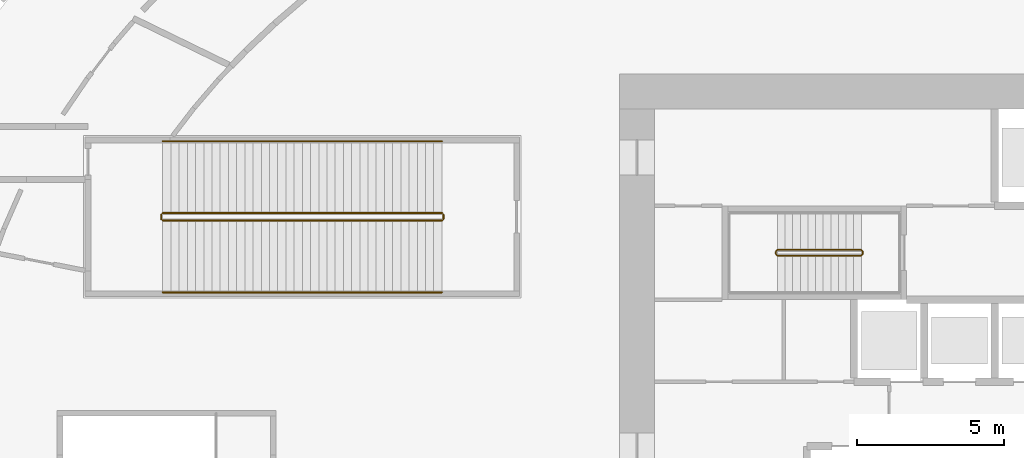
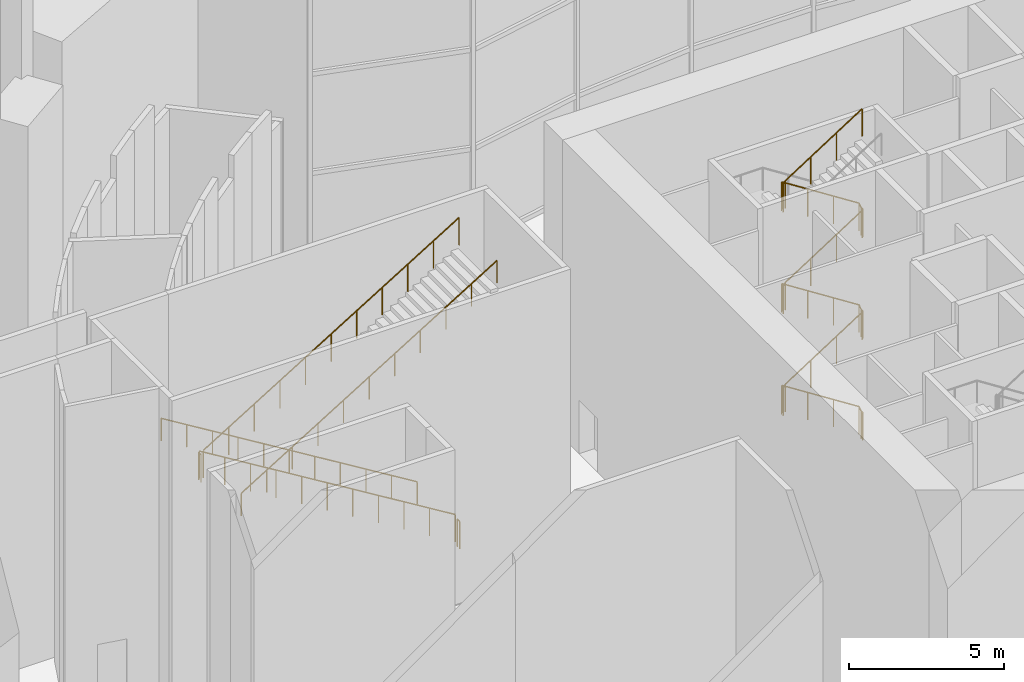
# One storey, part 20 of 25: 7 railings.
"""IFC4 building model written with IfcOpenShell, lengths in metres."""

from ifc_helpers import new_model, si_unit, direction, frame, origin, origin_2d, place, context, subcontext, project, spatial, circle, extrude, source, transform, mapped, material, type_object, element, save


model = new_model("IFC4")

# Units and contexts
model_context = context("Model", 3, precision=1e-05, world=origin(), true_north=direction((0.0, 1.0)))
body_context = subcontext(model_context, "Body", "Model", "MODEL_VIEW")
ifc_project = project(units=[si_unit("LENGTHUNIT", "METRE"), si_unit("AREAUNIT", "SQUARE_METRE"), si_unit("VOLUMEUNIT", "CUBIC_METRE"), si_unit("PLANEANGLEUNIT", "RADIAN"), si_unit("MASSUNIT", "GRAM", prefix="KILO")], contexts=[model_context])

# Site, building, storey
site_placement = place(None, origin())
site = spatial("IfcSite", under=ifc_project, at=site_placement, CompositionType="ELEMENT")
building_placement = place(site_placement, origin())
building = spatial("IfcBuilding", under=site, at=building_placement, Name="Embergate Tower", CompositionType="ELEMENT")
storey_placement = place(building_placement, origin())
storey = spatial("IfcBuildingStorey", under=building, at=storey_placement, Name="L00", CompositionType="ELEMENT", Elevation=0.0)

# Railings
ifc_material_1 = material(Name="Stair guard 1100")
railing_type_1 = type_object("IfcRailingType", Name="Stair guard 1100", PredefinedType="GUARDRAIL", material=ifc_material_1)
shared_shape_1 = source(origin(), body_context, "Body", "SweptSolid", [
    extrude(circle(Radius=0.02392578125, at=origin_2d()), frame((0.0, 0.0, 1.076171875), z_axis=(0.0, 1.0, 0.0), x_axis=(-1.0, 0.0, 0.0)), (0.0, 0.0, 1.0), 0.099853515625),
    extrude(circle(Radius=0.02392578125, at=origin_2d()), frame((0.0, 0.099853515625, 1.076171875), z_axis=(-0.27628659633, 0.27628659633, 0.920506074601), x_axis=(-0.707106781187, -0.707106781187, 0.0)), (0.0, 0.0, 1.0), 0.18115234375),
    extrude(circle(Radius=0.02392578125, at=origin_2d()), frame((-0.050048828125, 0.14990234375, 1.24267578125), z_axis=(-0.841899231129, 0.0, 0.539634769658), x_axis=(0.0, -1.0, 0.0)), (0.0, 0.0, 1.0), 3.397216796875),
    extrude(circle(Radius=0.02392578125, at=origin_2d()), frame((-2.91015625, 0.14990234375, 3.076171875), z_axis=(-0.705375805398, -0.708833529934, 0.0), x_axis=(0.708833529934, -0.705375805398, 0.0)), (0.0, 0.0, 1.0), 0.070556640625),
    extrude(circle(Radius=0.02392578125, at=origin_2d()), frame((-2.9599609375, 0.099853515625, 3.076171875), z_axis=(0.0, -1.0, 0.0), x_axis=(1.0, 0.0, 0.0)), (0.0, 0.0, 1.0), 0.099853515625),
    extrude(circle(Radius=0.02392578125, at=origin_2d()), frame((-2.9599609375, 0.0, 3.076171875), z_axis=(0.275041040955, -0.276389281352, 0.920848191041), x_axis=(0.708833529934, 0.705375805398, 0.0)), (0.0, 0.0, 1.0), 0.18115234375),
    extrude(circle(Radius=0.02392578125, at=origin_2d()), frame((-2.91015625, -0.050048828125, 3.24267578125), z_axis=(0.841899231129, 0.0, 0.539634769658), x_axis=(0.0, 1.0, 0.0)), (0.0, 0.0, 1.0), 3.397216796875),
    extrude(circle(Radius=0.02392578125, at=origin_2d()), frame((-0.050048828125, -0.050048828125, 5.076171875), z_axis=(0.707106781187, 0.707106781187, 0.0), x_axis=(-0.707106781187, 0.707106781187, 0.0)), (0.0, 0.0, 1.0), 0.07080078125),
    extrude(circle(Radius=0.02392578125, at=origin_2d()), frame((0.0, 0.0, 5.076171875), z_axis=(0.0, 1.0, 0.0), x_axis=(-1.0, 0.0, 0.0)), (0.0, 0.0, 1.0), 0.099853515625),
    extrude(circle(Radius=0.02392578125, at=origin_2d()), frame((0.0, 0.099853515625, 5.076171875), z_axis=(-0.27628659633, 0.27628659633, 0.920506074601), x_axis=(-0.707106781187, -0.707106781187, 0.0)), (0.0, 0.0, 1.0), 0.18115234375),
    extrude(circle(Radius=0.02392578125, at=origin_2d()), frame((-0.050048828125, 0.14990234375, 5.24267578125), z_axis=(-0.841899231129, 0.0, 0.539634769658), x_axis=(0.0, -1.0, 0.0)), (0.0, 0.0, 1.0), 3.397216796875),
    extrude(circle(Radius=0.02392578125, at=origin_2d()), frame((-2.91015625, 0.14990234375, 7.076171875), z_axis=(-0.705375805398, -0.708833529934, 0.0), x_axis=(0.708833529934, -0.705375805398, 0.0)), (0.0, 0.0, 1.0), 0.070556640625),
    extrude(circle(Radius=0.02392578125, at=origin_2d()), frame((-2.9599609375, 0.099853515625, 7.076171875), z_axis=(0.0, -1.0, 0.0), x_axis=(1.0, 0.0, 0.0)), (0.0, 0.0, 1.0), 0.099853515625),
    extrude(circle(Radius=0.02392578125, at=origin_2d()), frame((-2.9599609375, 0.0, 7.076171875), z_axis=(0.275041040955, -0.276389281352, 0.920848191041), x_axis=(0.708833529934, 0.705375805398, 0.0)), (0.0, 0.0, 1.0), 0.18115234375),
    extrude(circle(Radius=0.02392578125, at=origin_2d()), frame((-2.91015625, -0.050048828125, 7.24267578125), z_axis=(0.841899231129, 0.0, 0.539634769658), x_axis=(0.0, 1.0, 0.0)), (0.0, 0.0, 1.0), 3.397216796875),
    extrude(circle(Radius=0.02392578125, at=origin_2d()), frame((-0.050048828125, -0.050048828125, 9.076171875), z_axis=(0.707106781187, 0.707106781187, 0.0), x_axis=(-0.707106781187, 0.707106781187, 0.0)), (0.0, 0.0, 1.0), 0.07080078125),
    extrude(circle(Radius=0.02392578125, at=origin_2d()), frame((0.0, 0.0, 9.076171875), z_axis=(0.0, 1.0, 0.0), x_axis=(-1.0, 0.0, 0.0)), (0.0, 0.0, 1.0), 0.099853515625),
    extrude(circle(Radius=0.02392578125, at=origin_2d()), frame((0.0, 0.099853515625, 9.076171875), z_axis=(-0.27628659633, 0.27628659633, 0.920506074601), x_axis=(-0.707106781187, -0.707106781187, 0.0)), (0.0, 0.0, 1.0), 0.18115234375),
    extrude(circle(Radius=0.02392578125, at=origin_2d()), frame((-0.050048828125, 0.14990234375, 9.24267578125), z_axis=(-0.841899231129, 0.0, 0.539634769658), x_axis=(0.0, -1.0, 0.0)), (0.0, 0.0, 1.0), 3.397216796875),
    extrude(circle(Radius=0.02392578125, at=origin_2d()), frame((-2.91015625, 0.14990234375, 11.076171875), z_axis=(-0.705375805398, -0.708833529934, 0.0), x_axis=(0.708833529934, -0.705375805398, 0.0)), (0.0, 0.0, 1.0), 0.070556640625),
    extrude(circle(Radius=0.02392578125, at=origin_2d()), frame((-2.9599609375, 0.099853515625, 11.076171875), z_axis=(0.0, -1.0, 0.0), x_axis=(1.0, 0.0, 0.0)), (0.0, 0.0, 1.0), 0.099853515625),
    extrude(circle(Radius=0.02392578125, at=origin_2d()), frame((-2.9599609375, 0.0, 11.076171875), z_axis=(0.275041040955, -0.276389281352, 0.920848191041), x_axis=(0.708833529934, 0.705375805398, 0.0)), (0.0, 0.0, 1.0), 0.18115234375),
    extrude(circle(Radius=0.02392578125, at=origin_2d()), frame((-2.91015625, -0.050048828125, 11.24267578125), z_axis=(0.841899231129, 0.0, 0.539634769658), x_axis=(0.0, 1.0, 0.0)), (0.0, 0.0, 1.0), 3.397216796875),
    extrude(circle(Radius=0.02099609375, at=origin_2d()), origin(), (0.0, 0.0, 1.0), 1.052001953125),
    extrude(circle(Radius=0.02099609375, at=origin_2d()), frame((0.0, 0.099853515625, 0.0)), (0.0, 0.0, 1.0), 1.052001953125),
    extrude(circle(Radius=0.02099609375, at=origin_2d()), frame((-0.050048828125, 0.14990234375, 0.166748046875)), (0.0, 0.0, 1.0), 1.052001953125),
    extrude(circle(Radius=0.02099609375, at=origin_2d()), frame((-1.00341796875, 0.14990234375, 0.77783203125)), (0.0, 0.0, 1.0), 1.052001953125),
    extrude(circle(Radius=0.02099609375, at=origin_2d()), frame((-1.956787109375, 0.14990234375, 1.388916015625)), (0.0, 0.0, 1.0), 1.052001953125),
    extrude(circle(Radius=0.02099609375, at=origin_2d()), frame((-2.91015625, 0.14990234375, 2.0)), (0.0, 0.0, 1.0), 1.052001953125),
    extrude(circle(Radius=0.02099609375, at=origin_2d()), frame((-2.9599609375, 0.099853515625, 2.0)), (0.0, 0.0, 1.0), 1.052001953125),
    extrude(circle(Radius=0.02099609375, at=origin_2d()), frame((-2.9599609375, 0.0, 2.0)), (0.0, 0.0, 1.0), 1.052001953125),
    extrude(circle(Radius=0.02099609375, at=origin_2d()), frame((-2.91015625, -0.050048828125, 2.166748046875)), (0.0, 0.0, 1.0), 1.052001953125),
    extrude(circle(Radius=0.02099609375, at=origin_2d()), frame((-1.956787109375, -0.050048828125, 2.77783203125)), (0.0, 0.0, 1.0), 1.052001953125),
    extrude(circle(Radius=0.02099609375, at=origin_2d()), frame((-1.00341796875, -0.050048828125, 3.388916015625)), (0.0, 0.0, 1.0), 1.052001953125),
    extrude(circle(Radius=0.02099609375, at=origin_2d()), frame((-0.050048828125, -0.050048828125, 4.0)), (0.0, 0.0, 1.0), 1.052001953125),
    extrude(circle(Radius=0.02099609375, at=origin_2d()), frame((0.0, 0.0, 4.0)), (0.0, 0.0, 1.0), 1.052001953125),
    extrude(circle(Radius=0.02099609375, at=origin_2d()), frame((0.0, 0.099853515625, 4.0)), (0.0, 0.0, 1.0), 1.052001953125),
    extrude(circle(Radius=0.02099609375, at=origin_2d()), frame((-0.050048828125, 0.14990234375, 4.166748046875)), (0.0, 0.0, 1.0), 1.052001953125),
    extrude(circle(Radius=0.02099609375, at=origin_2d()), frame((-1.00341796875, 0.14990234375, 4.77783203125)), (0.0, 0.0, 1.0), 1.052001953125),
    extrude(circle(Radius=0.02099609375, at=origin_2d()), frame((-1.956787109375, 0.14990234375, 5.388916015625)), (0.0, 0.0, 1.0), 1.052001953125),
    extrude(circle(Radius=0.02099609375, at=origin_2d()), frame((-2.91015625, 0.14990234375, 6.0)), (0.0, 0.0, 1.0), 1.052001953125),
    extrude(circle(Radius=0.02099609375, at=origin_2d()), frame((-2.9599609375, 0.099853515625, 6.0)), (0.0, 0.0, 1.0), 1.052001953125),
    extrude(circle(Radius=0.02099609375, at=origin_2d()), frame((-2.9599609375, 0.0, 6.0)), (0.0, 0.0, 1.0), 1.052001953125),
    extrude(circle(Radius=0.02099609375, at=origin_2d()), frame((-2.91015625, -0.050048828125, 6.166748046875)), (0.0, 0.0, 1.0), 1.052001953125),
    extrude(circle(Radius=0.02099609375, at=origin_2d()), frame((-1.956787109375, -0.050048828125, 6.77783203125)), (0.0, 0.0, 1.0), 1.052001953125),
    extrude(circle(Radius=0.02099609375, at=origin_2d()), frame((-1.00341796875, -0.050048828125, 7.388916015625)), (0.0, 0.0, 1.0), 1.052001953125),
    extrude(circle(Radius=0.02099609375, at=origin_2d()), frame((-0.050048828125, -0.050048828125, 8.0)), (0.0, 0.0, 1.0), 1.052001953125),
    extrude(circle(Radius=0.02099609375, at=origin_2d()), frame((0.0, 0.0, 8.0)), (0.0, 0.0, 1.0), 1.052001953125),
    extrude(circle(Radius=0.02099609375, at=origin_2d()), frame((0.0, 0.099853515625, 8.0)), (0.0, 0.0, 1.0), 1.052001953125),
    extrude(circle(Radius=0.02099609375, at=origin_2d()), frame((-0.050048828125, 0.14990234375, 8.166748046875)), (0.0, 0.0, 1.0), 1.052001953125),
    extrude(circle(Radius=0.02099609375, at=origin_2d()), frame((-1.00341796875, 0.14990234375, 8.77783203125)), (0.0, 0.0, 1.0), 1.052001953125),
    extrude(circle(Radius=0.02099609375, at=origin_2d()), frame((-1.956787109375, 0.14990234375, 9.388916015625)), (0.0, 0.0, 1.0), 1.052001953125),
    extrude(circle(Radius=0.02099609375, at=origin_2d()), frame((-2.91015625, 0.14990234375, 10.0)), (0.0, 0.0, 1.0), 1.052001953125),
    extrude(circle(Radius=0.02099609375, at=origin_2d()), frame((-2.9599609375, 0.099853515625, 10.0)), (0.0, 0.0, 1.0), 1.052001953125),
    extrude(circle(Radius=0.02099609375, at=origin_2d()), frame((-2.9599609375, 0.0, 10.0)), (0.0, 0.0, 1.0), 1.052001953125),
    extrude(circle(Radius=0.02099609375, at=origin_2d()), frame((-2.91015625, -0.050048828125, 10.166748046875)), (0.0, 0.0, 1.0), 1.052001953125),
    extrude(circle(Radius=0.02099609375, at=origin_2d()), frame((-1.956787109375, -0.050048828125, 10.77783203125)), (0.0, 0.0, 1.0), 1.052001953125),
    extrude(circle(Radius=0.02099609375, at=origin_2d()), frame((-1.00341796875, -0.050048828125, 11.388916015625)), (0.0, 0.0, 1.0), 1.052001953125),
    extrude(circle(Radius=0.02099609375, at=origin_2d()), frame((-0.050048828125, -0.050048828125, 12.0)), (0.0, 0.0, 1.0), 1.052001953125),
])
railing_1_placement = place(storey_placement, frame((-5.699951171875, 6.85009765625, 0.0)))
element("IfcRailing", 1, at=railing_1_placement, inside=storey, type_object=railing_type_1, Name="L00 ST1 stair guard 1", PredefinedType="GUARDRAIL", context=body_context, shape_type="MappedRepresentation", body=[
    mapped(shared_shape_1, transform((0.0, 0.0, 0.0))),
])
ifc_material_2 = material(Name="Steel", Category="steel")
railing_type_2 = type_object("IfcRailingType", Name="Podium stair guard 1100", PredefinedType="GUARDRAIL", material=ifc_material_2)
shared_shape_2 = source(origin(), body_context, "Body", "SweptSolid", [
    extrude(circle(Radius=0.02392578125, at=origin_2d()), frame((0.0, 0.0, 1.076171875), z_axis=(0.852850111455, 0.0, 0.522155807582), x_axis=(0.0, 1.0, 0.0)), (0.0, 0.0, 1.0), 11.16259765625),
    extrude(circle(Radius=0.02099609375, at=origin_2d()), origin(), (0.0, 0.0, 1.0), 1.052001953125),
    extrude(circle(Radius=0.02099609375, at=origin_2d()), frame((0.951904296875, 0.0, 0.582763671875)), (0.0, 0.0, 1.0), 1.052001953125),
    extrude(circle(Radius=0.02099609375, at=origin_2d()), frame((1.904052734375, 0.0, 1.165771484375)), (0.0, 0.0, 1.0), 1.052001953125),
    extrude(circle(Radius=0.02099609375, at=origin_2d()), frame((2.85595703125, 0.0, 1.74853515625)), (0.0, 0.0, 1.0), 1.052001953125),
    extrude(circle(Radius=0.02099609375, at=origin_2d()), frame((3.80810546875, 0.0, 2.33154296875)), (0.0, 0.0, 1.0), 1.052001953125),
    extrude(circle(Radius=0.02099609375, at=origin_2d()), frame((4.760009765625, 0.0, 2.914306640625)), (0.0, 0.0, 1.0), 1.052001953125),
    extrude(circle(Radius=0.02099609375, at=origin_2d()), frame((5.7119140625, 0.0, 3.4970703125)), (0.0, 0.0, 1.0), 1.052001953125),
    extrude(circle(Radius=0.02099609375, at=origin_2d()), frame((6.6640625, 0.0, 4.080078125)), (0.0, 0.0, 1.0), 1.052001953125),
    extrude(circle(Radius=0.02099609375, at=origin_2d()), frame((7.615966796875, 0.0, 4.662841796875)), (0.0, 0.0, 1.0), 1.052001953125),
    extrude(circle(Radius=0.02099609375, at=origin_2d()), frame((8.568115234375, 0.0, 5.245849609375)), (0.0, 0.0, 1.0), 1.052001953125),
    extrude(circle(Radius=0.02099609375, at=origin_2d()), frame((9.52001953125, 0.0, 5.82861328125)), (0.0, 0.0, 1.0), 1.052001953125),
])
railing_2_placement = place(storey_placement, frame((-29.570068359375, 8.0, 6.17138671875)))
element("IfcRailing", 2, at=railing_2_placement, inside=storey, type_object=railing_type_2, Name="L00 P3 stair guard 3", PredefinedType="GUARDRAIL", context=body_context, shape_type="MappedRepresentation", body=[
    mapped(shared_shape_2, transform((0.0, 0.0, 0.0))),
])
shared_shape_3 = source(origin(), body_context, "Body", "SweptSolid", [
    extrude(circle(Radius=0.02392578125, at=origin_2d()), frame((0.0, 0.0, 1.076171875), z_axis=(-0.852850111455, 0.0, 0.522155807582), x_axis=(0.0, -1.0, 0.0)), (0.0, 0.0, 1.0), 11.16259765625),
    extrude(circle(Radius=0.02099609375, at=origin_2d()), origin(), (0.0, 0.0, 1.0), 1.052001953125),
    extrude(circle(Radius=0.02099609375, at=origin_2d()), frame((-0.951904296875, 0.0, 0.582763671875)), (0.0, 0.0, 1.0), 1.052001953125),
    extrude(circle(Radius=0.02099609375, at=origin_2d()), frame((-1.904052734375, 0.0, 1.165771484375)), (0.0, 0.0, 1.0), 1.052001953125),
    extrude(circle(Radius=0.02099609375, at=origin_2d()), frame((-2.85595703125, 0.0, 1.74853515625)), (0.0, 0.0, 1.0), 1.052001953125),
    extrude(circle(Radius=0.02099609375, at=origin_2d()), frame((-3.80810546875, 0.0, 2.33154296875)), (0.0, 0.0, 1.0), 1.052001953125),
    extrude(circle(Radius=0.02099609375, at=origin_2d()), frame((-4.760009765625, 0.0, 2.914306640625)), (0.0, 0.0, 1.0), 1.052001953125),
    extrude(circle(Radius=0.02099609375, at=origin_2d()), frame((-5.7119140625, 0.0, 3.4970703125)), (0.0, 0.0, 1.0), 1.052001953125),
    extrude(circle(Radius=0.02099609375, at=origin_2d()), frame((-6.6640625, 0.0, 4.080078125)), (0.0, 0.0, 1.0), 1.052001953125),
    extrude(circle(Radius=0.02099609375, at=origin_2d()), frame((-7.615966796875, 0.0, 4.662841796875)), (0.0, 0.0, 1.0), 1.052001953125),
    extrude(circle(Radius=0.02099609375, at=origin_2d()), frame((-8.568115234375, 0.0, 5.245849609375)), (0.0, 0.0, 1.0), 1.052001953125),
    extrude(circle(Radius=0.02099609375, at=origin_2d()), frame((-9.52001953125, 0.0, 5.82861328125)), (0.0, 0.0, 1.0), 1.052001953125),
])
railing_3_placement = place(storey_placement, frame((-20.050048828125, 8.25, 0.17138671875)))
element("IfcRailing", 3, at=railing_3_placement, inside=storey, type_object=railing_type_2, Name="L00 P3 stair guard 1", PredefinedType="GUARDRAIL", context=body_context, shape_type="MappedRepresentation", body=[
    mapped(shared_shape_3, transform((0.0, 0.0, 0.0))),
])
railing_type_3 = type_object("IfcRailingType", Name="Podium stair handrail 900", PredefinedType="HANDRAIL", material=ifc_material_2)
shared_shape_4 = source(origin(), body_context, "Body", "SweptSolid", [
    extrude(circle(Radius=0.02392578125, at=origin_2d()), frame((0.0, 0.0, 0.8759765625), z_axis=(0.852850111455, 0.0, 0.522155807582), x_axis=(0.0, 1.0, 0.0)), (0.0, 0.0, 1.0), 11.16259765625),
    extrude(circle(Radius=0.02099609375, at=origin_2d()), origin(), (0.0, 0.0, 1.0), 0.851806640625),
    extrude(circle(Radius=0.02099609375, at=origin_2d()), frame((0.951904296875, 0.0, 0.582763671875)), (0.0, 0.0, 1.0), 0.851806640625),
    extrude(circle(Radius=0.02099609375, at=origin_2d()), frame((1.904052734375, 0.0, 1.165771484375)), (0.0, 0.0, 1.0), 0.851806640625),
    extrude(circle(Radius=0.02099609375, at=origin_2d()), frame((2.85595703125, 0.0, 1.74853515625)), (0.0, 0.0, 1.0), 0.851806640625),
    extrude(circle(Radius=0.02099609375, at=origin_2d()), frame((3.80810546875, 0.0, 2.33154296875)), (0.0, 0.0, 1.0), 0.851806640625),
    extrude(circle(Radius=0.02099609375, at=origin_2d()), frame((4.760009765625, 0.0, 2.914306640625)), (0.0, 0.0, 1.0), 0.851806640625),
    extrude(circle(Radius=0.02099609375, at=origin_2d()), frame((5.7119140625, 0.0, 3.4970703125)), (0.0, 0.0, 1.0), 0.851806640625),
    extrude(circle(Radius=0.02099609375, at=origin_2d()), frame((6.6640625, 0.0, 4.080078125)), (0.0, 0.0, 1.0), 0.851806640625),
    extrude(circle(Radius=0.02099609375, at=origin_2d()), frame((7.615966796875, 0.0, 4.662841796875)), (0.0, 0.0, 1.0), 0.851806640625),
    extrude(circle(Radius=0.02099609375, at=origin_2d()), frame((8.568115234375, 0.0, 5.245849609375)), (0.0, 0.0, 1.0), 0.851806640625),
    extrude(circle(Radius=0.02099609375, at=origin_2d()), frame((9.52001953125, 0.0, 5.82861328125)), (0.0, 0.0, 1.0), 0.851806640625),
])
railing_4_placement = place(storey_placement, frame((-29.570068359375, 5.550048828125, 6.17138671875)))
element("IfcRailing", 4, at=railing_4_placement, inside=storey, type_object=railing_type_3, Name="L00 P3 stair handrail 2", PredefinedType="HANDRAIL", context=body_context, shape_type="MappedRepresentation", body=[
    mapped(shared_shape_4, transform((0.0, 0.0, 0.0))),
])
shared_shape_5 = source(origin(), body_context, "Body", "SweptSolid", [
    extrude(circle(Radius=0.02392578125, at=origin_2d()), frame((0.0, 0.0, 0.8759765625), z_axis=(-0.852850111455, 0.0, 0.522155807582), x_axis=(0.0, -1.0, 0.0)), (0.0, 0.0, 1.0), 11.16259765625),
    extrude(circle(Radius=0.02099609375, at=origin_2d()), origin(), (0.0, 0.0, 1.0), 0.851806640625),
    extrude(circle(Radius=0.02099609375, at=origin_2d()), frame((-0.951904296875, 0.0, 0.582763671875)), (0.0, 0.0, 1.0), 0.851806640625),
    extrude(circle(Radius=0.02099609375, at=origin_2d()), frame((-1.904052734375, 0.0, 1.165771484375)), (0.0, 0.0, 1.0), 0.851806640625),
    extrude(circle(Radius=0.02099609375, at=origin_2d()), frame((-2.85595703125, 0.0, 1.74853515625)), (0.0, 0.0, 1.0), 0.851806640625),
    extrude(circle(Radius=0.02099609375, at=origin_2d()), frame((-3.80810546875, 0.0, 2.33154296875)), (0.0, 0.0, 1.0), 0.851806640625),
    extrude(circle(Radius=0.02099609375, at=origin_2d()), frame((-4.760009765625, 0.0, 2.914306640625)), (0.0, 0.0, 1.0), 0.851806640625),
    extrude(circle(Radius=0.02099609375, at=origin_2d()), frame((-5.7119140625, 0.0, 3.4970703125)), (0.0, 0.0, 1.0), 0.851806640625),
    extrude(circle(Radius=0.02099609375, at=origin_2d()), frame((-6.6640625, 0.0, 4.080078125)), (0.0, 0.0, 1.0), 0.851806640625),
    extrude(circle(Radius=0.02099609375, at=origin_2d()), frame((-7.615966796875, 0.0, 4.662841796875)), (0.0, 0.0, 1.0), 0.851806640625),
    extrude(circle(Radius=0.02099609375, at=origin_2d()), frame((-8.568115234375, 0.0, 5.245849609375)), (0.0, 0.0, 1.0), 0.851806640625),
    extrude(circle(Radius=0.02099609375, at=origin_2d()), frame((-9.52001953125, 0.0, 5.82861328125)), (0.0, 0.0, 1.0), 0.851806640625),
])
railing_5_placement = place(storey_placement, frame((-20.050048828125, 10.699951171875, 0.17138671875)))
element("IfcRailing", 5, at=railing_5_placement, inside=storey, type_object=railing_type_3, Name="L00 P3 stair handrail 1", PredefinedType="HANDRAIL", context=body_context, shape_type="MappedRepresentation", body=[
    mapped(shared_shape_5, transform((0.0, 0.0, 0.0))),
])
shared_shape_6 = source(origin(), body_context, "Body", "SweptSolid", [
    extrude(circle(Radius=0.02392578125, at=origin_2d()), frame((0.0, 0.0, 1.076171875), z_axis=(0.0, -1.0, 0.0), x_axis=(1.0, 0.0, 0.0)), (0.0, 0.0, 1.0), 0.14990234375),
    extrude(circle(Radius=0.02099609375, at=origin_2d()), origin(), (0.0, 0.0, 1.0), 1.052001953125),
    extrude(circle(Radius=0.02099609375, at=origin_2d()), frame((0.0, -0.14990234375, 0.0)), (0.0, 0.0, 1.0), 1.052001953125),
])
for number, where, name in (
    (6, (-29.6201171875, 8.199951171875, 6.0), "L00 P3 stair guard 2"),
    (7, (-20.0, 8.199951171875, 0.0), "L00 P3 stair guard 4"),
):
    element("IfcRailing", number, at=place(storey_placement, frame(where)), inside=storey, type_object=railing_type_2, Name=name, PredefinedType="GUARDRAIL", context=body_context, shape_type="MappedRepresentation", body=[
        mapped(shared_shape_6, transform((0.0, 0.0, 0.0))),
    ])

save(model, "model.ifc")
